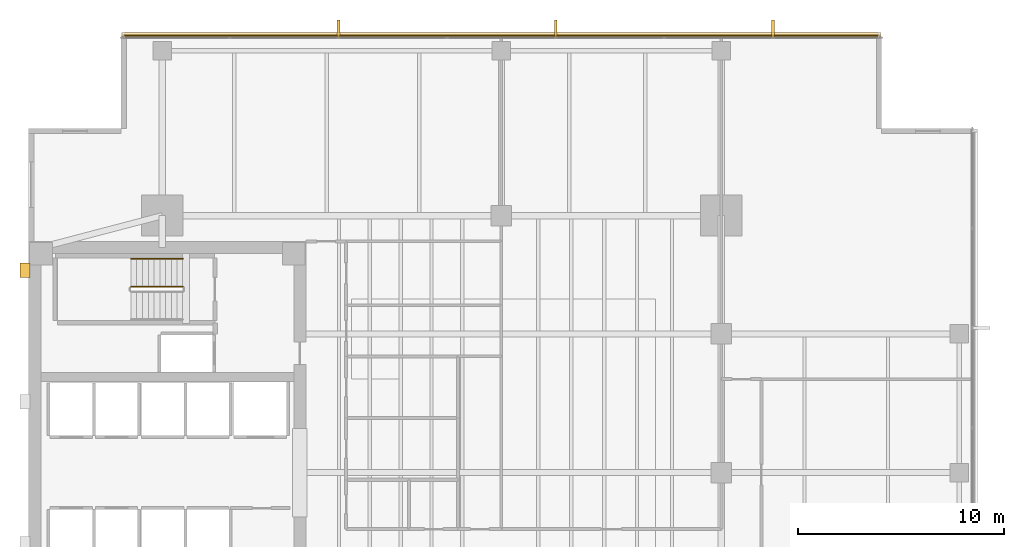
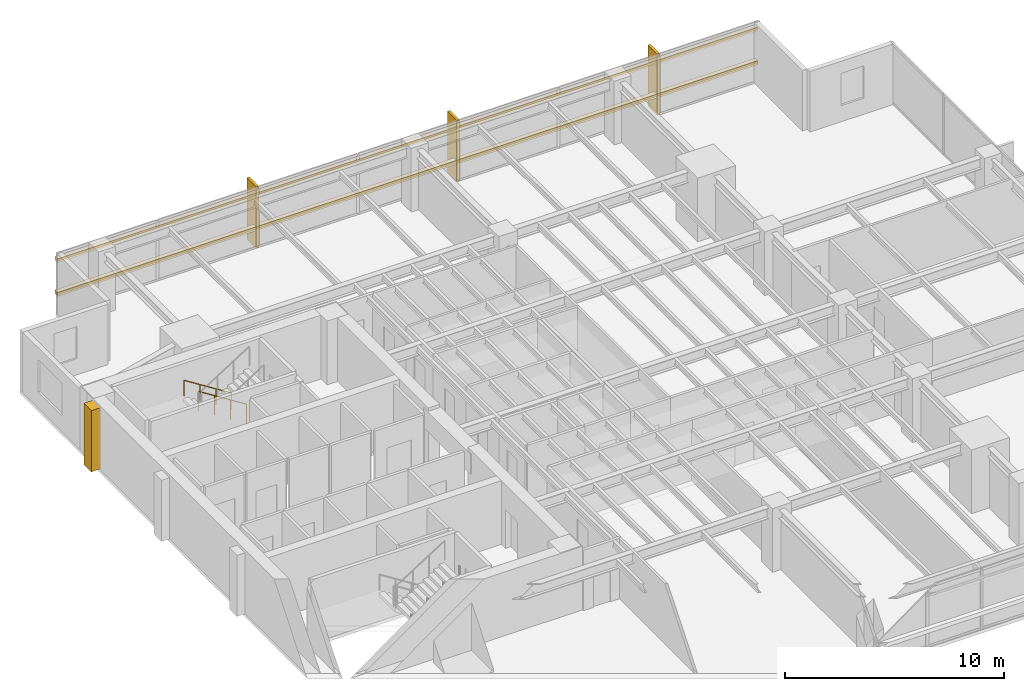
# One storey, part 15 of 15: 6 coverings, 2 railings, 2 shading devices.
"""IFC4 building model written with IfcOpenShell, lengths in metres."""

import ifcopenshell
import ifcopenshell.guid

model = None  # the IFC model being written
_history = None  # IfcOwnerHistory: only IFC2X3 demands one
_inside = {}  # id of a spatial element -> (the spatial element, [elements in it])
_under = {}  # id of a project, library or spatial element -> (it, [spatial elements below it])
_declared = {}  # id of a project -> (the project, [libraries it declares])
_typed = {}  # id of a type object -> (the type object, [elements of that type])
_made_of = {}  # id of a material, layer set ... -> (it, [elements and type objects made of it])


def new_model(schema):
    """Start an empty IFC model of exactly this schema.

    Asked for "IFC4X3", IfcOpenShell would pick the latest addendum, in which some entities
    have other attributes; the version numbers below select the first issue.
    IFC2X3 requires an IfcOwnerHistory on every rooted entity: one is made here for all.
    """
    global model, _history
    if schema == "IFC4X3":
        model = ifcopenshell.file(schema_version=(4, 3, 0, 0))
    else:
        model = ifcopenshell.file(schema=schema)
    _inside.clear()
    _under.clear()
    _declared.clear()
    _typed.clear()
    _made_of.clear()
    _history = None
    if model.schema == "IFC2X3":
        org = make("IfcOrganization", Name="unknown")
        user = make(
            "IfcPersonAndOrganization",
            ThePerson=make("IfcPerson", FamilyName="unknown"),
            TheOrganization=org,
        )
        app = make(
            "IfcApplication",
            ApplicationDeveloper=org,
            Version="unknown",
            ApplicationFullName="unknown",
            ApplicationIdentifier="unknown",
        )
        _history = make(
            "IfcOwnerHistory",
            OwningUser=user,
            OwningApplication=app,
            ChangeAction="ADDED",
            CreationDate=0,
        )
    return model


def make(cls, **values):
    """One entity of the class cls with the attributes given. An attribute that is None is left unset."""
    return model.create_entity(
        cls, **{name: value for name, value in values.items() if value is not None}
    )


def rooted(cls, **values):
    """An entity with a GlobalId (a new one), such as an element, a storey or a relation."""
    return make(cls, GlobalId=ifcopenshell.guid.new(), OwnerHistory=_history, **values)


def si_unit(unit_type, name, prefix=None):
    """IfcSIUnit, for example si_unit("LENGTHUNIT", "METRE", prefix="MILLI")."""
    return make("IfcSIUnit", UnitType=unit_type, Prefix=prefix, Name=name)


def assignment(units):
    """IfcUnitAssignment: the units of a project."""
    return None if units is None else make("IfcUnitAssignment", Units=units)


def point(xyz):
    """IfcCartesianPoint."""
    return None if xyz is None else make("IfcCartesianPoint", Coordinates=xyz)


def direction(xyz):
    """IfcDirection."""
    return None if xyz is None else make("IfcDirection", DirectionRatios=xyz)


def frame(location, z_axis=None, x_axis=None):
    """IfcAxis2Placement3D, a coordinate frame: its origin and axes. An axis left out is left unset."""
    return make(
        "IfcAxis2Placement3D",
        Location=point(location),
        Axis=direction(z_axis),
        RefDirection=direction(x_axis),
    )


def frame_2d(location, x_axis=None):
    """IfcAxis2Placement2D, a coordinate frame in the plane: its origin and x axis."""
    return make(
        "IfcAxis2Placement2D", Location=point(location), RefDirection=direction(x_axis)
    )


def origin():
    """The frame at (0, 0, 0) with its axes left unset."""
    return frame((0.0, 0.0, 0.0))


def origin_2d():
    """The frame at (0, 0) in the plane with its x axis left unset."""
    return frame_2d((0.0, 0.0))


def place(relative_to, where):
    """IfcLocalPlacement: puts the frame where relative to a parent placement (None: the world)."""
    return make(
        "IfcLocalPlacement", PlacementRelTo=relative_to, RelativePlacement=where
    )


def context(
    kind, dimensions, precision=None, world=None, true_north=None, identifier=None
):
    """IfcGeometricRepresentationContext, for example the 3D "Model" context."""
    return make(
        "IfcGeometricRepresentationContext",
        ContextIdentifier=identifier,
        ContextType=kind,
        CoordinateSpaceDimension=dimensions,
        Precision=precision,
        WorldCoordinateSystem=world,
        TrueNorth=true_north,
    )


def subcontext(parent, identifier, kind, view, scale=None):
    """IfcGeometricRepresentationSubContext, for example "Body" below "Model"."""
    return make(
        "IfcGeometricRepresentationSubContext",
        ContextIdentifier=identifier,
        ContextType=kind,
        ParentContext=parent,
        TargetScale=scale,
        TargetView=view,
    )


def project(units=None, contexts=None):
    """IfcProject with its units and contexts."""
    return rooted(
        "IfcProject",
        Name="project",
        RepresentationContexts=contexts,
        UnitsInContext=assignment(units),
    )


def spatial(cls, under=None, at=None, **own):
    """A site, building, storey or space (cls), placed at a placement, below another one or the project."""
    s = rooted(cls, ObjectPlacement=at, **own)
    if under is not None:
        _under.setdefault(under.id(), (under, []))[1].append(s)
    return s


def polyline(points):
    """IfcPolyline through the points."""
    return make("IfcPolyline", Points=[point(p) for p in points])


def profile(cls, at=None, kind="AREA", **sizes):
    """A parametric profile (cls). Its sizes go by their IFC names, for example OverallWidth=200.0."""
    return make(cls, ProfileType=kind, Position=at, **sizes)


def rectangle(**sizes):
    """IfcRectangleProfileDef."""
    return profile("IfcRectangleProfileDef", **sizes)


def circle(**sizes):
    """IfcCircleProfileDef."""
    return profile("IfcCircleProfileDef", **sizes)


def outline(outer, holes=None, kind="AREA"):
    """IfcArbitraryClosedProfileDef: a profile drawn as a closed curve; with holes, ...WithVoids."""
    if holes is None:
        return make("IfcArbitraryClosedProfileDef", ProfileType=kind, OuterCurve=outer)
    return make(
        "IfcArbitraryProfileDefWithVoids",
        ProfileType=kind,
        OuterCurve=outer,
        InnerCurves=holes,
    )


def extrude(swept, where, along, depth):
    """IfcExtrudedAreaSolid: the profile swept, set in the frame where, extruded along a direction by depth."""
    return make(
        "IfcExtrudedAreaSolid",
        SweptArea=swept,
        Position=where,
        ExtrudedDirection=direction(along),
        Depth=depth,
    )


def shape(context_of_items, identifier, shape_type, items):
    """IfcShapeRepresentation: the items that make up one representation, for example the "Body"."""
    return make(
        "IfcShapeRepresentation",
        ContextOfItems=context_of_items,
        RepresentationIdentifier=identifier,
        RepresentationType=shape_type,
        Items=items,
    )


def material(Name=None, Category=None):
    """IfcMaterial."""
    return make("IfcMaterial", Name=Name, Category=Category)


def layer(
    of_material, thickness, ventilated=None, Name=None, Category=None, Priority=None
):
    """IfcMaterialLayer: one layer of a wall or slab, of a material (None: an air gap)."""
    return make(
        "IfcMaterialLayer",
        Material=of_material,
        LayerThickness=thickness,
        IsVentilated=ventilated,
        Name=Name,
        Category=Category,
        Priority=Priority,
    )


def layer_set(layers, Name=None):
    """IfcMaterialLayerSet."""
    return make("IfcMaterialLayerSet", MaterialLayers=layers, LayerSetName=Name)


def material_profile(
    of_material, cross_section, Name=None, Category=None, Priority=None
):
    """IfcMaterialProfile: a cross section and its material."""
    return make(
        "IfcMaterialProfile",
        Name=Name,
        Material=of_material,
        Profile=cross_section,
        Priority=Priority,
        Category=Category,
    )


def profile_set(profiles, Name=None, composite=None):
    """IfcMaterialProfileSet."""
    return make(
        "IfcMaterialProfileSet",
        Name=Name,
        MaterialProfiles=profiles,
        CompositeProfile=composite,
    )


def made_of(thing, what):
    """Note that an element or type object is made of a material, layer set ...; save() writes the relation."""
    if what is not None:
        _made_of.setdefault(what.id(), (what, []))[1].append(thing)
    return thing


def type_object(cls, material=None, **own):
    """A type object (cls), such as IfcWallType, which elements share."""
    return made_of(rooted(cls, **own), material)


def element(
    cls,
    number,
    at=None,
    inside=None,
    cuts=None,
    type_object=None,
    material=None,
    context=None,
    identifier="Body",
    shape_type=None,
    held_by="IfcProductDefinitionShape",
    body=None,
    shapes=None,
    **own,
):
    """One element of the class cls, such as IfcWall. Its Tag is "e" and its number.

    at: its placement. inside: the storey or other place that contains it. cuts: it is an
    opening in that element (IfcRelVoidsElement). A single representation is given by context,
    identifier, shape_type and body (its items); several are given by shapes. held_by: the class
    of the entity that holds the representations. save() writes the other relations.
    """
    e = rooted(cls, Tag="e%d" % number, ObjectPlacement=at, **own)
    if body is not None:
        shapes = [shape(context, identifier, shape_type, body)]
    if shapes is not None:
        e.Representation = make(held_by, Representations=shapes)
    if inside is not None:
        _inside.setdefault(inside.id(), (inside, []))[1].append(e)
    if cuts is not None:
        rooted(
            "IfcRelVoidsElement", RelatingBuildingElement=cuts, RelatedOpeningElement=e
        )
    if type_object is not None:
        _typed.setdefault(type_object.id(), (type_object, []))[1].append(e)
    return made_of(e, material)


def aggregate(whole, parts):
    """IfcRelAggregates: a whole, such as a stair, and the parts it consists of."""
    return rooted("IfcRelAggregates", RelatingObject=whole, RelatedObjects=parts)


def save(model, path):
    """Write the relations noted so far, then the file.

    IfcRelAggregates (storeys below a building ...), IfcRelContainedInSpatialStructure (elements
    in a storey), IfcRelDefinesByType, IfcRelAssociatesMaterial and IfcRelDeclares: one each for
    every whole, place, type object, material and project.
    """
    for whole, parts in _under.values():
        aggregate(whole, parts)
    for where, things in _inside.values():
        rooted(
            "IfcRelContainedInSpatialStructure",
            RelatedElements=things,
            RelatingStructure=where,
        )
    for kind, things in _typed.values():
        rooted("IfcRelDefinesByType", RelatedObjects=things, RelatingType=kind)
    for what, things in _made_of.values():
        rooted("IfcRelAssociatesMaterial", RelatedObjects=things, RelatingMaterial=what)
    for by, libraries in _declared.values():
        rooted("IfcRelDeclares", RelatingContext=by, RelatedDefinitions=libraries)
    model.write(path)


model = new_model("IFC4")

# Units and contexts
model_context = context("Model", 3, precision=1e-05, world=origin(), true_north=direction((0.0, 1.0)))
body_context = subcontext(model_context, "Body", "Model", "MODEL_VIEW")
ifc_project = project(units=[si_unit("LENGTHUNIT", "METRE"), si_unit("AREAUNIT", "SQUARE_METRE"), si_unit("VOLUMEUNIT", "CUBIC_METRE"), si_unit("PLANEANGLEUNIT", "RADIAN"), si_unit("MASSUNIT", "GRAM", prefix="KILO")], contexts=[model_context])

# Site, building, storey
site_placement = place(None, origin())
site = spatial("IfcSite", under=ifc_project, at=site_placement, CompositionType="ELEMENT")
building_placement = place(site_placement, origin())
building = spatial("IfcBuilding", under=site, at=building_placement, Name="Kinhvarn Gate Tower", CompositionType="ELEMENT")
storey_placement = place(building_placement, frame((0.0, 0.0, 109.35009765625)))
storey = spatial("IfcBuildingStorey", under=building, at=storey_placement, Name="L28", CompositionType="ELEMENT", Elevation=109.35009765625)

# Coverings
ifc_material_1 = material(Name="Fired architectural terracotta", Category="masonry")
ifc_layer_1 = layer(ifc_material_1, 0.239990234375)
ifc_layer_set_1 = layer_set([ifc_layer_1], Name="Fired architectural terracotta")
covering_type_1 = type_object("IfcCoveringType", Name="COV-BAG-220", PredefinedType="CLADDING", material=ifc_layer_set_1)
for number, where, name in (
    (1, (0.0, 0.0, 0.93994140625), "Terracotta Horizontal Sunscreen Band TBG-220 (L28)"),
    (2, (0.0, 0.0, 2.809814453125), "Terracotta Horizontal Sunscreen Band TBG-220 (L28)"),
):
    element("IfcCovering", number, at=place(storey_placement, frame(where)), inside=storey, type_object=covering_type_1, Name=name, PredefinedType="CLADDING", context=body_context, shape_type="SweptSolid", body=[
        extrude(outline(polyline([(45.9599609375, 46.429931640625), (9.0400390625, 46.429931640625), (9.0400390625, 46.669921875), (45.9599609375, 46.669921875), (45.9599609375, 46.429931640625)])), origin(), (0.0, 0.0, 1.0), 0.219970703125),
    ])
ifc_layer_2 = layer(ifc_material_1, 0.139892578125)
ifc_layer_set_2 = layer_set([ifc_layer_2], Name="Fired architectural terracotta")
covering_type_2 = type_object("IfcCoveringType", Name="COV-FIN-850", PredefinedType="CLADDING", material=ifc_layer_set_2)
covering_1_placement = place(storey_placement, frame((0.0, 0.0, -0.02001953125)))
element("IfcCovering", 3, at=covering_1_placement, inside=storey, type_object=covering_type_2, Name="Vertical Terracotta Expressive Fin TFN-850 (L28)", PredefinedType="CLADDING", context=body_context, shape_type="SweptSolid", body=[
    extrude(outline(polyline([(40.7841796875, 46.419921875), (40.644287109375, 46.419921875), (40.644287109375, 47.27001953125), (40.7841796875, 47.27001953125), (40.7841796875, 46.419921875)])), origin(), (0.0, 0.0, 1.0), 3.409912109375),
])
covering_2_placement = place(storey_placement, frame((0.0, 0.0, -0.02001953125)))
element("IfcCovering", 4, at=covering_2_placement, inside=storey, type_object=covering_type_2, Name="Vertical Terracotta Expressive Fin TFN-850 (L28)", PredefinedType="CLADDING", context=body_context, shape_type="SweptSolid", body=[
    extrude(outline(polyline([(30.212890625, 46.419921875), (30.072998046875, 46.419921875), (30.072998046875, 47.27001953125), (30.212890625, 47.27001953125), (30.212890625, 46.419921875)])), origin(), (0.0, 0.0, 1.0), 3.409912109375),
])
covering_3_placement = place(storey_placement, frame((0.0, 0.0, -0.02001953125)))
element("IfcCovering", 5, at=covering_3_placement, inside=storey, type_object=covering_type_2, Name="Vertical Terracotta Expressive Fin TFN-850 (L28)", PredefinedType="CLADDING", context=body_context, shape_type="SweptSolid", body=[
    extrude(outline(polyline([(19.641357421875, 46.419921875), (19.50146484375, 46.419921875), (19.50146484375, 47.27001953125), (19.641357421875, 47.27001953125), (19.641357421875, 46.419921875)])), origin(), (0.0, 0.0, 1.0), 3.409912109375),
])
ifc_material_2 = material(Name="Precast white architectural concrete C40/50", Category="concrete")
ifc_layer_3 = layer(ifc_material_2, 0.47998046875)
ifc_layer_set_3 = layer_set([ifc_layer_3], Name="Precast white architectural concrete C40/50")
covering_type_3 = type_object("IfcCoveringType", Name="COV-RIB-450", PredefinedType="CLADDING", material=ifc_layer_set_3)
covering_4_placement = place(storey_placement, frame((0.0, 0.0, -0.02001953125)))
element("IfcCovering", 6, at=covering_4_placement, inside=storey, type_object=covering_type_3, Name="West Core Sculptural Concrete Relief Rib CRB-450 (L28)", PredefinedType="CLADDING", context=body_context, shape_type="SweptSolid", body=[
    extrude(outline(polyline([(4.080078125, 34.75), (4.56005859375, 34.75), (4.56005859375, 35.449951171875), (4.080078125, 35.449951171875), (4.080078125, 34.75)])), origin(), (0.0, 0.0, 1.0), 3.409912109375),
])

# Railings
ifc_material_3 = material(Name="Steel S355", Category="steel")
railing_type_1 = type_object("IfcRailingType", Name="RL-ST-GRD", PredefinedType="BALUSTRADE", material=ifc_material_3)
railing_1_placement = place(storey_placement, frame((12.0, 34.300048828125, 0.177490234375)))
element("IfcRailing", 7, at=railing_1_placement, inside=storey, type_object=railing_type_1, Name="L28 ST2 stair guard 1", PredefinedType="BALUSTRADE", context=body_context, shape_type="SweptSolid", body=[
    extrude(circle(Radius=0.02392578125, at=origin_2d()), frame((0.0, 0.0, 1.076171875), z_axis=(-0.84460694969, 0.0, 0.535386869969), x_axis=(0.0, -1.0, 0.0)), (0.0, 0.0, 1.0), 2.983642578125),
    extrude(circle(Radius=0.02099609375, at=origin_2d()), origin(), (0.0, 0.0, 1.0), 1.052001953125),
    extrude(circle(Radius=0.02099609375, at=origin_2d()), frame((-0.840087890625, 0.0, 0.532470703125)), (0.0, 0.0, 1.0), 1.052001953125),
    extrude(circle(Radius=0.02099609375, at=origin_2d()), frame((-1.679931640625, 0.0, 1.06494140625)), (0.0, 0.0, 1.0), 1.052001953125),
    extrude(circle(Radius=0.02099609375, at=origin_2d()), frame((-2.52001953125, 0.0, 1.597412109375)), (0.0, 0.0, 1.0), 1.052001953125),
])
railing_type_2 = type_object("IfcRailingType", Name="RL-ST-HND", PredefinedType="HANDRAIL", material=ifc_material_3)
railing_2_placement = place(storey_placement, frame((12.0, 35.64990234375, 0.177490234375)))
element("IfcRailing", 8, at=railing_2_placement, inside=storey, type_object=railing_type_2, Name="L28 ST2 stair handrail 1", PredefinedType="HANDRAIL", context=body_context, shape_type="SweptSolid", body=[
    extrude(circle(Radius=0.02392578125, at=origin_2d()), frame((0.0, 0.0, 0.8759765625), z_axis=(-0.84460694969, 0.0, 0.535386869969), x_axis=(0.0, -1.0, 0.0)), (0.0, 0.0, 1.0), 2.983642578125),
    extrude(circle(Radius=0.02099609375, at=origin_2d()), origin(), (0.0, 0.0, 1.0), 0.851806640625),
    extrude(circle(Radius=0.02099609375, at=origin_2d()), frame((-0.840087890625, 0.0, 0.532470703125)), (0.0, 0.0, 1.0), 0.851806640625),
    extrude(circle(Radius=0.02099609375, at=origin_2d()), frame((-1.679931640625, 0.0, 1.06494140625)), (0.0, 0.0, 1.0), 0.851806640625),
    extrude(circle(Radius=0.02099609375, at=origin_2d()), frame((-2.52001953125, 0.0, 1.597412109375)), (0.0, 0.0, 1.0), 0.851806640625),
])

# Shading devices
ifc_material_profile = material_profile(ifc_material_1, rectangle(XDim=0.050048828125, YDim=0.1201171875, at=origin_2d()), Name="TC 50x120")
ifc_profile_set = profile_set([ifc_material_profile], Name="Fired architectural terracotta")
shading_device_type = type_object("IfcShadingDeviceType", Name="SHD-BAG-140", PredefinedType="USERDEFINED", material=ifc_profile_set)
for number, where, z_axis, x_axis, name in (
    (9, (45.9599609375, 46.5, 1.0498046875), (-1.0, 0.0, 0.0), (0.0, -1.0, 0.0), "Upper Tower Terracotta Baguette Screen Rod 50x120 mm (L28)"),
    (10, (45.9599609375, 46.5, 2.919921875), (-1.0, 0.0, 0.0), (0.0, -1.0, 0.0), "Upper Tower Terracotta Baguette Screen Rod 50x120 mm (L28)"),
):
    element("IfcShadingDevice", number, at=place(storey_placement, frame(where, z_axis=z_axis, x_axis=x_axis)), inside=storey, type_object=shading_device_type, Name=name, ObjectType="BAGUETTE", PredefinedType="USERDEFINED", context=body_context, shape_type="SweptSolid", body=[
        extrude(rectangle(XDim=0.050048828125, YDim=0.1201171875, at=origin_2d()), origin(), (0.0, 0.0, 1.0), 36.919921875),
    ])

save(model, "model.ifc")
